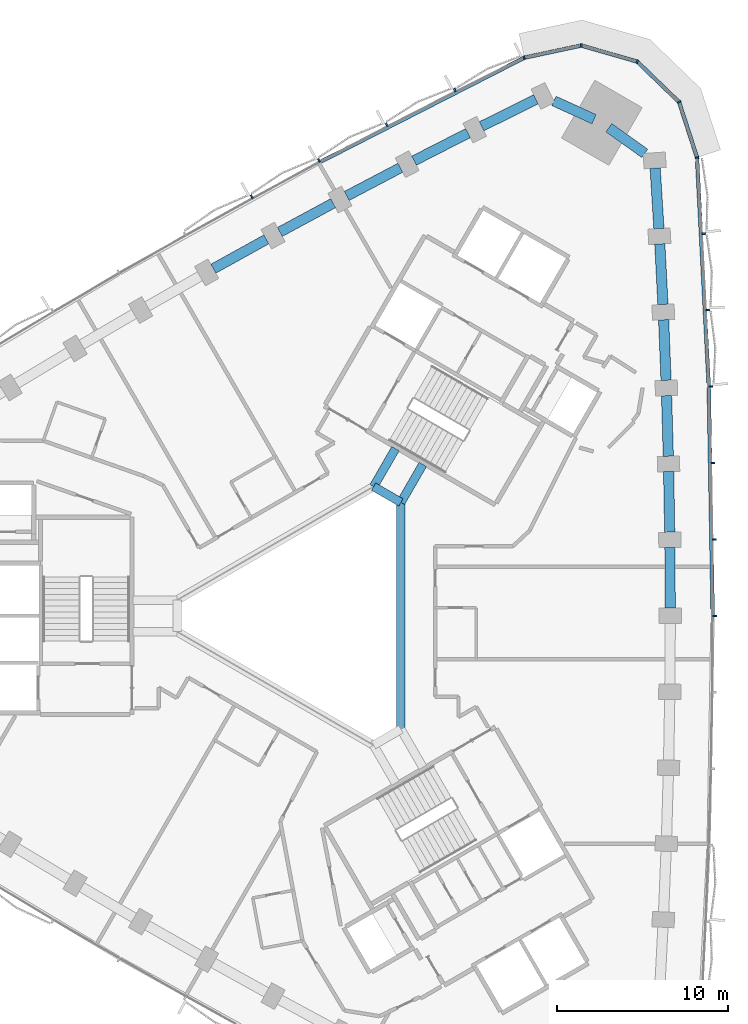
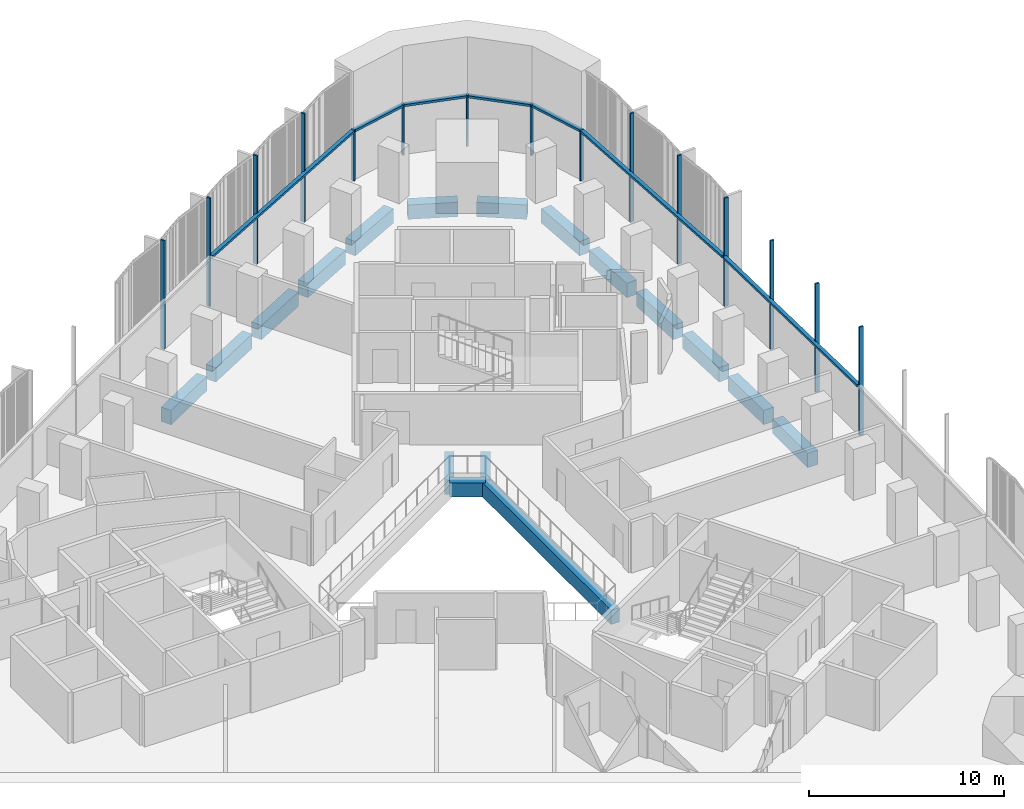
# One storey, part 5 of 15: 22 members, 17 beams, 2 elements without a shape of their own.
"""IFC4 building model written with IfcOpenShell, lengths in metres."""

from ifc_helpers import new_model, si_unit, direction, frame, origin, origin_2d, place, context, subcontext, project, spatial, rectangle, extrude, material, material_profile, profile_set, type_object, element, aggregate, save


model = new_model("IFC4")

# Units and contexts
model_context = context("Model", 3, precision=1e-05, world=origin(), true_north=direction((0.0, 1.0)))
body_context = subcontext(model_context, "Body", "Model", "MODEL_VIEW")
ifc_project = project(units=[si_unit("LENGTHUNIT", "METRE"), si_unit("AREAUNIT", "SQUARE_METRE"), si_unit("VOLUMEUNIT", "CUBIC_METRE"), si_unit("PLANEANGLEUNIT", "RADIAN"), si_unit("MASSUNIT", "GRAM", prefix="KILO")], contexts=[model_context])

# Site, building, storey
site_placement = place(None, origin())
site = spatial("IfcSite", under=ifc_project, at=site_placement, CompositionType="ELEMENT")
building_placement = place(site_placement, origin())
building = spatial("IfcBuilding", under=site, at=building_placement, Name="Tamra Quay Hotel Tower", CompositionType="ELEMENT")
storey_placement = place(building_placement, frame((0.0, 0.0, 90.199951171875)))
storey = spatial("IfcBuildingStorey", under=building, at=storey_placement, Name="L21", CompositionType="ELEMENT", Elevation=90.199951171875)

# Beams
ifc_material_1 = material(Name="Concrete M60", Category="concrete")
ifc_material_profile_1 = material_profile(ifc_material_1, rectangle(XDim=0.5, YDim=0.89990234375, at=origin_2d()), Name="ATRIUM EDGE BEAM RC 500x900")
ifc_profile_set_1 = profile_set([ifc_material_profile_1], Name="Concrete M60")
beam_type_1 = type_object("IfcBeamType", Name="ATRIUM EDGE BEAM RC 500x900", PredefinedType="BEAM", material=ifc_profile_set_1)
beam_1_placement = place(storey_placement, frame((4.89990234375, 6.639404296875, -0.875), z_axis=(0.0, -1.0, 0.0), x_axis=(1.0, 0.0, 0.0)))
element("IfcBeam", 1, at=beam_1_placement, inside=storey, type_object=beam_type_1, Name="BM-AB0-L21", PredefinedType="BEAM", context=body_context, shape_type="SweptSolid", body=[
    extrude(rectangle(XDim=0.5, YDim=0.89990234375, at=origin_2d()), origin(), (0.0, 0.0, 1.0), 13.27880859375),
])
beam_2_placement = place(storey_placement, frame((3.300048828125, 7.563232421875, -0.875), z_axis=(0.865989712182, -0.500061814573, 0.0), x_axis=(0.500061814573, 0.865989712182, 0.0)))
element("IfcBeam", 2, at=beam_2_placement, inside=storey, type_object=beam_type_1, Name="BM-AB5-L21", PredefinedType="BEAM", context=body_context, shape_type="SweptSolid", body=[
    extrude(rectangle(XDim=0.5, YDim=0.89990234375, at=origin_2d()), origin(), (0.0, 0.0, 1.0), 1.847412109375),
])
ifc_material_profile_2 = material_profile(ifc_material_1, rectangle(XDim=0.5, YDim=0.89990234375, at=origin_2d()), Name="ATRIUM TIE BEAM RC 500x900")
ifc_profile_set_2 = profile_set([ifc_material_profile_2], Name="Concrete M60")
beam_type_2 = type_object("IfcBeamType", Name="ATRIUM TIE BEAM RC 500x900", PredefinedType="BEAM", material=ifc_profile_set_2)
for number, where, z_axis, x_axis, name in (
    (3, (4.89990234375, 6.639404296875, -0.875), (0.50003311468, 0.866006284171, 0.0), (-0.866006284171, 0.50003311468, 0.0), "BM-TIE-0-L21"),
    (4, (3.300048828125, 7.563232421875, -0.875), (0.499961652204, 0.866047542763, 0.0), (-0.866047542763, 0.499961652204, 0.0), "BM-TIE-5-L21"),
):
    element("IfcBeam", number, at=place(storey_placement, frame(where, z_axis=z_axis, x_axis=x_axis)), inside=storey, type_object=beam_type_2, Name=name, PredefinedType="BEAM", context=body_context, shape_type="SweptSolid", body=[
        extrude(rectangle(XDim=0.5, YDim=0.89990234375, at=origin_2d()), origin(), (0.0, 0.0, 1.0), 2.562255859375),
    ])

# Curtain wall, members
ifc_material_2 = material(Name="Aluminium 6063 anodised dark grey", Category="aluminium")
curtain_wall_type_1 = type_object("IfcCurtainWallType", Name="CW1 CURTAIN WALL", PredefinedType="NOTDEFINED", material=ifc_material_2)
curtain_wall_1_placement = place(storey_placement, origin())
curtain_wall_1 = element("IfcCurtainWall", 5, at=curtain_wall_1_placement, inside=storey, type_object=curtain_wall_type_1, Name="CW1 east face L21", PredefinedType="NOTDEFINED")
ifc_material_profile_3 = material_profile(ifc_material_2, rectangle(XDim=0.219970703125, YDim=0.10009765625, at=origin_2d()), Name="MULLION 100X220")
ifc_profile_set_3 = profile_set([ifc_material_profile_3], Name="Aluminium 6063 anodised dark grey")
member_type_1 = type_object("IfcMemberType", Name="MULLION CW1 Z2", PredefinedType="MULLION", material=ifc_profile_set_3)
member_1_placement = place(storey_placement, frame((23.2548828125, 0.0, 0.0), z_axis=(0.0, 0.0, 1.0), x_axis=(1.0, 0.0, 0.0)))
member_1 = element("IfcMember", 6, at=member_1_placement, type_object=member_type_1, Name="CW1 mullion L21.E.7", PredefinedType="MULLION", context=body_context, shape_type="SweptSolid", body=[
    extrude(rectangle(XDim=0.219970703125, YDim=0.10009765625, at=origin_2d()), origin(), (0.0, 0.0, 1.0), 6.775146484375),
])
member_2_placement = place(storey_placement, frame((23.229248046875, 4.474365234375, 0.0), z_axis=(0.0, 0.0, 1.0), x_axis=(0.999934749621, 0.011423506449, 0.0)))
member_2 = element("IfcMember", 7, at=member_2_placement, type_object=member_type_1, Name="CW1 mullion L21.E.8", PredefinedType="MULLION", context=body_context, shape_type="SweptSolid", body=[
    extrude(rectangle(XDim=0.219970703125, YDim=0.10009765625, at=origin_2d()), origin(), (0.0, 0.0, 1.0), 6.775146484375),
])
member_3_placement = place(storey_placement, frame((23.152587890625, 8.9482421875, 0.0), z_axis=(0.0, 0.0, 1.0), x_axis=(0.99973912156, 0.022840508384, 0.0)))
member_3 = element("IfcMember", 8, at=member_3_placement, type_object=member_type_1, Name="CW1 mullion L21.E.9", PredefinedType="MULLION", context=body_context, shape_type="SweptSolid", body=[
    extrude(rectangle(XDim=0.219970703125, YDim=0.10009765625, at=origin_2d()), origin(), (0.0, 0.0, 1.0), 6.775146484375),
])
member_4_placement = place(storey_placement, frame((23.02490234375, 13.4208984375, 0.0), z_axis=(0.0, 0.0, 1.0), x_axis=(0.999413445306, 0.034245661637, 0.0)))
member_4 = element("IfcMember", 9, at=member_4_placement, type_object=member_type_1, Name="CW1 mullion L21.E.10", PredefinedType="MULLION", context=body_context, shape_type="SweptSolid", body=[
    extrude(rectangle(XDim=0.219970703125, YDim=0.10009765625, at=origin_2d()), origin(), (0.0, 0.0, 1.0), 6.775146484375),
])
member_5_placement = place(storey_placement, frame((22.84619140625, 17.891845703125, 0.0), z_axis=(0.0, 0.0, 1.0), x_axis=(0.998958269731, 0.045633050909, 0.0)))
member_5 = element("IfcMember", 10, at=member_5_placement, type_object=member_type_1, Name="CW1 mullion L21.E.11", PredefinedType="MULLION", context=body_context, shape_type="SweptSolid", body=[
    extrude(rectangle(XDim=0.219970703125, YDim=0.10009765625, at=origin_2d()), origin(), (0.0, 0.0, 1.0), 6.775146484375),
])
member_6_placement = place(storey_placement, frame((22.616455078125, 22.3603515625, 0.0), z_axis=(0.0, 0.0, 1.0), x_axis=(0.998374392587, 0.056996247479, 0.0)))
member_6 = element("IfcMember", 11, at=member_6_placement, type_object=member_type_1, Name="CW1 mullion L21.E.12", PredefinedType="MULLION", context=body_context, shape_type="SweptSolid", body=[
    extrude(rectangle(XDim=0.219970703125, YDim=0.10009765625, at=origin_2d()), origin(), (0.0, 0.0, 1.0), 6.775146484375),
])
member_7_placement = place(storey_placement, frame((22.226318359375, 26.81787109375, 0.0), z_axis=(0.0, 0.0, 1.0), x_axis=(0.982419091866, 0.186688853275, 0.0)))
member_7 = element("IfcMember", 12, at=member_7_placement, type_object=member_type_1, Name="CW1 mullion L21.E.13", PredefinedType="MULLION", context=body_context, shape_type="SweptSolid", body=[
    extrude(rectangle(XDim=0.219970703125, YDim=0.10009765625, at=origin_2d()), origin(), (0.0, 0.0, 1.0), 3.175048828125),
])
member_8_placement = place(storey_placement, frame((21.1767578125, 30.062255859375, 0.0), z_axis=(0.0, 0.0, 1.0), x_axis=(0.848503146373, 0.529190334941, 0.0)))
member_8 = element("IfcMember", 13, at=member_8_placement, type_object=member_type_1, Name="CW1 mullion L21.E.14", PredefinedType="MULLION", context=body_context, shape_type="SweptSolid", body=[
    extrude(rectangle(XDim=0.219970703125, YDim=0.10009765625, at=origin_2d()), origin(), (0.0, 0.0, 1.0), 3.175048828125),
])
member_9_placement = place(storey_placement, frame((18.724853515625, 32.43212890625, 0.0), z_axis=(0.0, 0.0, 1.0), x_axis=(0.5, 0.866025403784, 0.0)))
member_9 = element("IfcMember", 14, at=member_9_placement, type_object=member_type_1, Name="CW1 mullion L21.E.15", PredefinedType="MULLION", context=body_context, shape_type="SweptSolid", body=[
    extrude(rectangle(XDim=0.219970703125, YDim=0.10009765625, at=origin_2d()), origin(), (0.0, 0.0, 1.0), 3.175048828125),
])
member_10_placement = place(storey_placement, frame((15.4462890625, 33.370849609375, 0.0), z_axis=(0.0, 0.0, 1.0), x_axis=(0.03404070031, 0.999420447421, 0.0)))
member_10 = element("IfcMember", 15, at=member_10_placement, type_object=member_type_1, Name="CW1 mullion L21.E.16", PredefinedType="MULLION", context=body_context, shape_type="SweptSolid", body=[
    extrude(rectangle(XDim=0.219970703125, YDim=0.10009765625, at=origin_2d()), origin(), (0.0, 0.0, 1.0), 3.175048828125),
])

curtain_wall_type_2 = type_object("IfcCurtainWallType", Name="CW2 CURTAIN WALL", PredefinedType="NOTDEFINED", material=ifc_material_2)
curtain_wall_2_placement = place(storey_placement, origin())
curtain_wall_2 = element("IfcCurtainWall", 16, at=curtain_wall_2_placement, inside=storey, type_object=curtain_wall_type_2, Name="CW2 north-west face L21", PredefinedType="NOTDEFINED")
ifc_material_profile_4 = material_profile(ifc_material_2, rectangle(XDim=0.219970703125, YDim=0.10009765625, at=origin_2d()), Name="MULLION 100X220")
ifc_profile_set_4 = profile_set([ifc_material_profile_4], Name="Aluminium 6063 anodised dark grey")
member_type_2 = type_object("IfcMemberType", Name="MULLION CW2 Z2", PredefinedType="MULLION", material=ifc_profile_set_4)
member_11_placement = place(storey_placement, frame((12.111572265625, 32.657470703125, 0.0), z_axis=(0.0, 0.0, 1.0), x_axis=(-0.329532256394, 0.944144317356, 0.0)))
member_11 = element("IfcMember", 17, at=member_11_placement, type_object=member_type_2, Name="CW2 mullion L21.NW.1", PredefinedType="MULLION", context=body_context, shape_type="SweptSolid", body=[
    extrude(rectangle(XDim=0.219970703125, YDim=0.10009765625, at=origin_2d()), origin(), (0.0, 0.0, 1.0), 3.175048828125),
])
member_12_placement = place(storey_placement, frame((8.056396484375, 30.7666015625, 0.0), z_axis=(0.0, 0.0, 1.0), x_axis=(-0.449826998056, 0.893115710208, 0.0)))
member_12 = element("IfcMember", 18, at=member_12_placement, type_object=member_type_2, Name="CW2 mullion L21.NW.2", PredefinedType="MULLION", context=body_context, shape_type="SweptSolid", body=[
    extrude(rectangle(XDim=0.219970703125, YDim=0.10009765625, at=origin_2d()), origin(), (0.0, 0.0, 1.0), 6.775146484375),
])
member_13_placement = place(storey_placement, frame((4.07177734375, 28.731201171875, 0.0), z_axis=(0.0, 0.0, 1.0), x_axis=(-0.459959753526, 0.887939764362, 0.0)))
member_13 = element("IfcMember", 19, at=member_13_placement, type_object=member_type_2, Name="CW2 mullion L21.NW.3", PredefinedType="MULLION", context=body_context, shape_type="SweptSolid", body=[
    extrude(rectangle(XDim=0.219970703125, YDim=0.10009765625, at=origin_2d()), origin(), (0.0, 0.0, 1.0), 6.775146484375),
])
member_14_placement = place(storey_placement, frame((0.110595703125, 26.650634765625, 0.0), z_axis=(0.0, 0.0, 1.0), x_axis=(-0.470049109706, 0.882640263337, 0.0)))
member_14 = element("IfcMember", 20, at=member_14_placement, type_object=member_type_2, Name="CW2 mullion L21.NW.4", PredefinedType="MULLION", context=body_context, shape_type="SweptSolid", body=[
    extrude(rectangle(XDim=0.219970703125, YDim=0.10009765625, at=origin_2d()), origin(), (0.0, 0.0, 1.0), 6.775146484375),
])
member_15_placement = place(storey_placement, frame((-3.826904296875, 24.52490234375, 0.0), z_axis=(0.0, 0.0, 1.0), x_axis=(-0.480089100284, 0.87721973062, 0.0)))
member_15 = element("IfcMember", 21, at=member_15_placement, type_object=member_type_2, Name="CW2 mullion L21.NW.5", PredefinedType="MULLION", context=body_context, shape_type="SweptSolid", body=[
    extrude(rectangle(XDim=0.219970703125, YDim=0.10009765625, at=origin_2d()), origin(), (0.0, 0.0, 1.0), 6.775146484375),
])

# Beams
ifc_material_profile_5 = material_profile(ifc_material_1, rectangle(XDim=0.60009765625, YDim=0.89990234375, at=origin_2d()), Name="SPANDREL BEAM RC 600x900")
ifc_profile_set_5 = profile_set([ifc_material_profile_5], Name="Concrete M60")
beam_type_3 = type_object("IfcBeamType", Name="SPANDREL BEAM RC 600x900", PredefinedType="SPANDREL", material=ifc_profile_set_5)
beam_3_placement = place(storey_placement, frame((20.656494140625, 0.449951171875, -0.875), z_axis=(-0.005716160055, 0.999983662624, 0.0), x_axis=(-0.999983662624, -0.005716160055, 0.0)))
element("IfcBeam", 22, at=beam_3_placement, inside=storey, type_object=beam_type_3, Name="BM-SP2-006-L21", PredefinedType="SPANDREL", context=body_context, shape_type="SweptSolid", body=[
    extrude(rectangle(XDim=0.60009765625, YDim=0.89990234375, at=origin_2d()), origin(), (0.0, 0.0, 1.0), 3.544921875),
])
beam_4_placement = place(storey_placement, frame((20.6259765625, 4.894775390625, -0.875), z_axis=(-0.017149781635, 0.99985293168, 0.0), x_axis=(-0.99985293168, -0.017149781635, 0.0)))
element("IfcBeam", 23, at=beam_4_placement, inside=storey, type_object=beam_type_3, Name="BM-SP2-007-L21", PredefinedType="SPANDREL", context=body_context, shape_type="SweptSolid", body=[
    extrude(rectangle(XDim=0.60009765625, YDim=0.89990234375, at=origin_2d()), origin(), (0.0, 0.0, 1.0), 3.544677734375),
])
for number, where, z_axis, x_axis, name in (
    (24, (20.544677734375, 9.338623046875, -0.875), (-0.02858140136, 0.999591468299, 0.0), (-0.999591468299, -0.02858140136, 0.0), "BM-SP2-008-L21"),
    (25, (20.41259765625, 13.781494140625, -0.875), (-0.039946034354, 0.999201838639, 0.0), (-0.999201838639, -0.039946034354, 0.0), "BM-SP2-009-L21"),
):
    element("IfcBeam", number, at=place(storey_placement, frame(where, z_axis=z_axis, x_axis=x_axis)), inside=storey, type_object=beam_type_3, Name=name, PredefinedType="SPANDREL", context=body_context, shape_type="SweptSolid", body=[
        extrude(rectangle(XDim=0.60009765625, YDim=0.89990234375, at=origin_2d()), origin(), (0.0, 0.0, 1.0), 3.544921875),
    ])
beam_5_placement = place(storey_placement, frame((20.22998046875, 18.22265625, -0.875), z_axis=(-0.051311627905, 0.998682690769, 0.0), x_axis=(-0.998682690769, -0.051311627905, 0.0)))
element("IfcBeam", 26, at=beam_5_placement, inside=storey, type_object=beam_type_3, Name="BM-SP2-010-L21", PredefinedType="SPANDREL", context=body_context, shape_type="SweptSolid", body=[
    extrude(rectangle(XDim=0.60009765625, YDim=0.89990234375, at=origin_2d()), origin(), (0.0, 0.0, 1.0), 3.544677734375),
])
beam_6_placement = place(storey_placement, frame((19.99658203125, 22.661376953125, -0.875), z_axis=(-0.062669833409, 0.99803431403, 0.0), x_axis=(-0.99803431403, -0.062669833409, 0.0)))
element("IfcBeam", 27, at=beam_6_placement, inside=storey, type_object=beam_type_3, Name="BM-SP2-011-L21", PredefinedType="SPANDREL", context=body_context, shape_type="SweptSolid", body=[
    extrude(rectangle(XDim=0.60009765625, YDim=0.89990234375, at=origin_2d()), origin(), (0.0, 0.0, 1.0), 3.545166015625),
])
for number, where, z_axis, x_axis, name in (
    (28, (19.168701171875, 27.060302734375, -0.875), (-0.814339289036, 0.580389112865, 0.0), (-0.580389112865, -0.814339289036, 0.0), "BM-SP2-012-L21"),
    (29, (16.202392578125, 29.057861328125, -0.875), (-0.909819048293, 0.415005179923, 0.0), (-0.415005179923, -0.909819048293, 0.0), "BM-SP2-013-L21"),
):
    element("IfcBeam", number, at=place(storey_placement, frame(where, z_axis=z_axis, x_axis=x_axis)), inside=storey, type_object=beam_type_3, Name=name, PredefinedType="SPANDREL", context=body_context, shape_type="SweptSolid", body=[
        extrude(rectangle(XDim=0.60009765625, YDim=0.89990234375, at=origin_2d()), origin(), (0.0, 0.0, 1.0), 2.5849609375),
    ])
beam_7_placement = place(storey_placement, frame((12.802001953125, 30.22509765625, -0.875), z_axis=(-0.895622275285, -0.444815399928, 0.0), x_axis=(0.444815399928, -0.895622275285, 0.0)))
element("IfcBeam", 30, at=beam_7_placement, inside=storey, type_object=beam_type_3, Name="BM-SP2-014-L21", PredefinedType="SPANDREL", context=body_context, shape_type="SweptSolid", body=[
    extrude(rectangle(XDim=0.60009765625, YDim=0.89990234375, at=origin_2d()), origin(), (0.0, 0.0, 1.0), 3.545166015625),
])
beam_8_placement = place(storey_placement, frame((8.8232421875, 28.243408203125, -0.875), z_axis=(-0.890551251107, -0.45488291807, 0.0), x_axis=(0.45488291807, -0.890551251107, 0.0)))
element("IfcBeam", 31, at=beam_8_placement, inside=storey, type_object=beam_type_3, Name="BM-SP2-015-L21", PredefinedType="SPANDREL", context=body_context, shape_type="SweptSolid", body=[
    extrude(rectangle(XDim=0.60009765625, YDim=0.89990234375, at=origin_2d()), origin(), (0.0, 0.0, 1.0), 3.544921875),
])
beam_9_placement = place(storey_placement, frame((4.8671875, 26.216796875, -0.875), z_axis=(-0.885322773021, -0.464976975312, 0.0), x_axis=(0.464976975312, -0.885322773021, 0.0)))
element("IfcBeam", 32, at=beam_9_placement, inside=storey, type_object=beam_type_3, Name="BM-SP2-016-L21", PredefinedType="SPANDREL", context=body_context, shape_type="SweptSolid", body=[
    extrude(rectangle(XDim=0.60009765625, YDim=0.89990234375, at=origin_2d()), origin(), (0.0, 0.0, 1.0), 3.544677734375),
])
for number, where, z_axis, x_axis, name in (
    (33, (0.9345703125, 24.1455078125, -0.875), (-0.879950887438, -0.475064664753, 0.0), (0.475064664753, -0.879950887438, 0.0), "BM-SP2-017-L21"),
    (34, (-2.97412109375, 22.029296875, -0.875), (-0.874475461638, -0.48506975477, 0.0), (0.48506975477, -0.874475461638, 0.0), "BM-SP2-018-L21"),
):
    element("IfcBeam", number, at=place(storey_placement, frame(where, z_axis=z_axis, x_axis=x_axis)), inside=storey, type_object=beam_type_3, Name=name, PredefinedType="SPANDREL", context=body_context, shape_type="SweptSolid", body=[
        extrude(rectangle(XDim=0.60009765625, YDim=0.89990234375, at=origin_2d()), origin(), (0.0, 0.0, 1.0), 3.544921875),
    ])

# Member
ifc_material_profile_6 = material_profile(ifc_material_2, rectangle(XDim=0.219970703125, YDim=0.139892578125, at=origin_2d()), Name="TRANSOM 220X140")
ifc_profile_set_6 = profile_set([ifc_material_profile_6], Name="Aluminium 6063 anodised dark grey")
member_type_3 = type_object("IfcMemberType", Name="TRANSOM CW1 Z2", PredefinedType="USERDEFINED", material=ifc_profile_set_6)
member_16_placement = place(storey_placement, frame((23.14453125, 0.050048828125, 3.10498046875), z_axis=(-0.017138663343, 0.999853122323, 0.0), x_axis=(-0.999853122323, -0.017138663343, 0.0)))
member_16 = element("IfcMember", 35, at=member_16_placement, type_object=member_type_3, Name="CW1 transom L21.E.7", ObjectType="TRANSOM", PredefinedType="USERDEFINED", context=body_context, shape_type="SweptSolid", body=[
    extrude(rectangle(XDim=0.219970703125, YDim=0.139892578125, at=origin_2d()), origin(), (0.0, 0.0, 1.0), 13.319091796875),
])

member_17_placement = place(storey_placement, frame((22.912841796875, 13.46728515625, 3.10498046875), z_axis=(-0.051309919366, 0.998682778551, 0.0), x_axis=(-0.998682778551, -0.051309919366, 0.0)))
member_17 = element("IfcMember", 36, at=member_17_placement, type_object=member_type_3, Name="CW1 transom L21.E.10", ObjectType="TRANSOM", PredefinedType="USERDEFINED", context=body_context, shape_type="SweptSolid", body=[
    extrude(rectangle(XDim=0.219970703125, YDim=0.139892578125, at=origin_2d()), origin(), (0.0, 0.0, 1.0), 13.318115234375),
])

member_18_placement = place(storey_placement, frame((22.2109375, 26.865234375, 3.10498046875), z_axis=(-0.307784937637, 0.951455953875, 0.0), x_axis=(-0.951455953875, -0.307784937637, 0.0)))
member_18 = element("IfcMember", 37, at=member_18_placement, type_object=member_type_3, Name="CW1 transom L21.E.13", ObjectType="TRANSOM", PredefinedType="USERDEFINED", context=body_context, shape_type="SweptSolid", body=[
    extrude(rectangle(XDim=0.219970703125, YDim=0.139892578125, at=origin_2d()), origin(), (0.0, 0.0, 1.0), 3.31005859375),
])

member_19_placement = place(storey_placement, frame((21.140869140625, 30.09716796875, 3.10498046875), z_axis=(-0.719063315741, 0.694944564664, 0.0), x_axis=(-0.694944564664, -0.719063315741, 0.0)))
member_19 = element("IfcMember", 38, at=member_19_placement, type_object=member_type_3, Name="CW1 transom L21.E.14", ObjectType="TRANSOM", PredefinedType="USERDEFINED", context=body_context, shape_type="SweptSolid", body=[
    extrude(rectangle(XDim=0.219970703125, YDim=0.139892578125, at=origin_2d()), origin(), (0.0, 0.0, 1.0), 3.31005859375),
])

member_20_placement = place(storey_placement, frame((18.6767578125, 32.446044921875, 3.10498046875), z_axis=(-0.961393028347, 0.275178932778, 0.0), x_axis=(-0.275178932778, -0.961393028347, 0.0)))
member_20 = element("IfcMember", 39, at=member_20_placement, type_object=member_type_3, Name="CW1 transom L21.E.15", ObjectType="TRANSOM", PredefinedType="USERDEFINED", context=body_context, shape_type="SweptSolid", body=[
    extrude(rectangle(XDim=0.219970703125, YDim=0.139892578125, at=origin_2d()), origin(), (0.0, 0.0, 1.0), 3.31005859375),
])

member_21_placement = place(storey_placement, frame((15.3974609375, 33.3603515625, 3.10498046875), z_axis=(-0.977877907042, -0.209176477928, 0.0), x_axis=(0.209176477928, -0.977877907042, 0.0)))
member_21 = element("IfcMember", 40, at=member_21_placement, type_object=member_type_3, Name="CW1 transom L21.E.16", ObjectType="TRANSOM", PredefinedType="USERDEFINED", context=body_context, shape_type="SweptSolid", body=[
    extrude(rectangle(XDim=0.219970703125, YDim=0.139892578125, at=origin_2d()), origin(), (0.0, 0.0, 1.0), 3.31005859375),
])

aggregate(curtain_wall_1, [member_1, member_16, member_2, member_3, member_4, member_17, member_5, member_6, member_7, member_18, member_8, member_19, member_9, member_20, member_10, member_21])

ifc_material_profile_7 = material_profile(ifc_material_2, rectangle(XDim=0.219970703125, YDim=0.139892578125, at=origin_2d()), Name="TRANSOM 220X140")
ifc_profile_set_7 = profile_set([ifc_material_profile_7], Name="Aluminium 6063 anodised dark grey")
member_type_4 = type_object("IfcMemberType", Name="TRANSOM CW2 Z2", PredefinedType="USERDEFINED", material=ifc_profile_set_7)
member_22_placement = place(storey_placement, frame((12.06689453125, 32.63525390625, 3.10498046875), z_axis=(-0.890537010915, -0.45491079586, 0.0), x_axis=(0.45491079586, -0.890537010915, 0.0)))
member_22 = element("IfcMember", 41, at=member_22_placement, type_object=member_type_4, Name="CW2 transom L21.NW.1", ObjectType="TRANSOM", PredefinedType="USERDEFINED", context=body_context, shape_type="SweptSolid", body=[
    extrude(rectangle(XDim=0.219970703125, YDim=0.139892578125, at=origin_2d()), origin(), (0.0, 0.0, 1.0), 13.318115234375),
])

aggregate(curtain_wall_2, [member_11, member_22, member_12, member_13, member_14, member_15])

save(model, "model.ifc")
